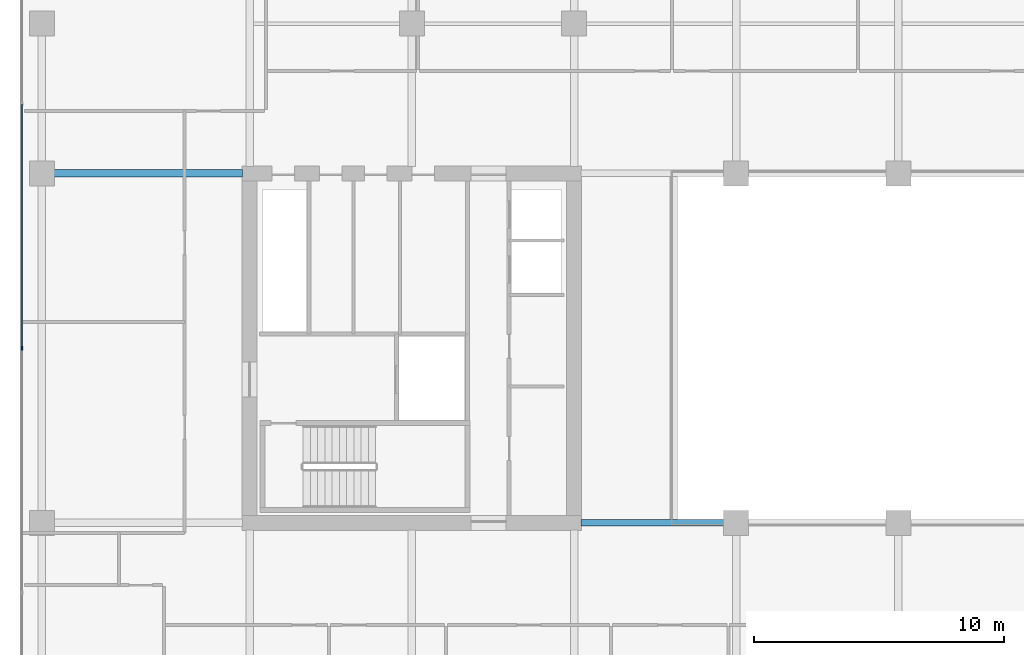
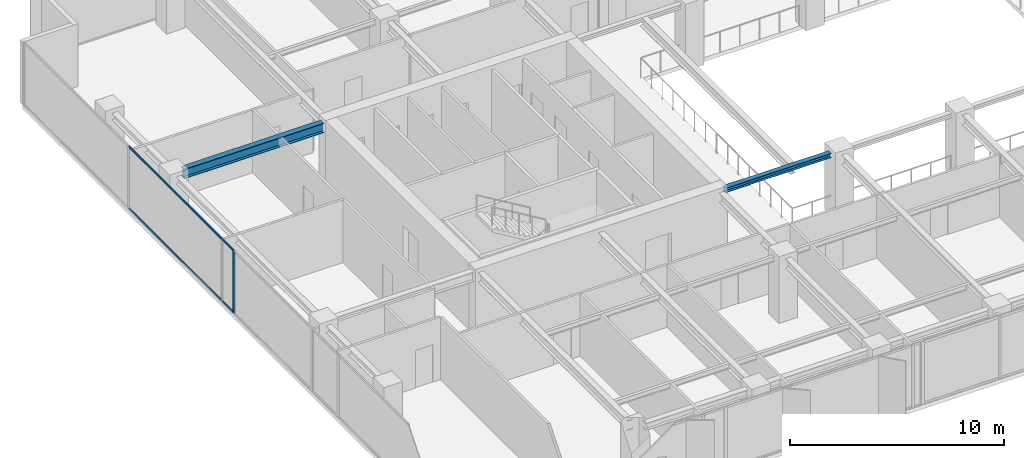
# One storey, part 4 of 22: 3 members, 2 beams, 1 element without a shape of its own.
"""IFC4 building model written with IfcOpenShell, lengths in metres."""

from ifc_helpers import new_model, si_unit, direction, frame, origin, origin_2d, place, context, subcontext, project, spatial, rectangle, i_section, extrude, material, layer, layer_set, material_profile, profile_set, type_object, element, aggregate, save


model = new_model("IFC4")

# Units and contexts
model_context = context("Model", 3, precision=1e-05, world=origin(), true_north=direction((0.0, 1.0)))
body_context = subcontext(model_context, "Body", "Model", "MODEL_VIEW")
ifc_project = project(units=[si_unit("LENGTHUNIT", "METRE"), si_unit("AREAUNIT", "SQUARE_METRE"), si_unit("VOLUMEUNIT", "CUBIC_METRE"), si_unit("PLANEANGLEUNIT", "RADIAN"), si_unit("MASSUNIT", "GRAM", prefix="KILO")], contexts=[model_context])

# Site, building, storey
site_placement = place(None, origin())
site = spatial("IfcSite", under=ifc_project, at=site_placement, CompositionType="ELEMENT")
building_placement = place(site_placement, origin())
building = spatial("IfcBuilding", under=site, at=building_placement, Name="Putna Gate Headquarters", CompositionType="ELEMENT")
storey_placement = place(building_placement, frame((0.0, 0.0, 182.199951171875)))
storey = spatial("IfcBuildingStorey", under=building, at=storey_placement, Name="L45", CompositionType="ELEMENT", Elevation=182.199951171875)

# Beams
ifc_material_1 = material(Name="Steel S355J2", Category="steel")
ifc_material_profile_1 = material_profile(ifc_material_1, i_section(OverallWidth=0.260009765625, OverallDepth=0.260009765625, WebThickness=0.010009765625, FlangeThickness=0.017578125, at=origin_2d()), Name="Steel S355J2")
ifc_profile_set_1 = profile_set([ifc_material_profile_1], Name="Steel S355J2")
beam_type_1 = type_object("IfcBeamType", Name="BM-ATRIUM-HEB260", PredefinedType="BEAM", material=ifc_profile_set_1)
beam_1_placement = place(storey_placement, frame((26.284912109375, 19.0, 3.442138671875), z_axis=(1.0, 0.0, 0.0), x_axis=(0.0, 1.0, 0.0)))
element("IfcBeam", 1, at=beam_1_placement, inside=storey, type_object=beam_type_1, Name="L45 Atrium Edge Beam AS1", PredefinedType="BEAM", context=body_context, shape_type="SweptSolid", body=[
    extrude(i_section(OverallWidth=0.260009765625, OverallDepth=0.260009765625, WebThickness=0.010009765625, FlangeThickness=0.017578125, at=origin_2d()), origin(), (0.0, 0.0, 1.0), 5.72705078125),
])
ifc_material_profile_2 = material_profile(ifc_material_1, i_section(OverallWidth=0.300048828125, OverallDepth=0.550048828125, WebThickness=0.014892578125, FlangeThickness=0.029052734375, at=origin_2d()), Name="Steel S355J2")
ifc_profile_set_2 = profile_set([ifc_material_profile_2], Name="Steel S355J2")
beam_type_2 = type_object("IfcBeamType", Name="BM-GIRD-Z3-HEB550", PredefinedType="USERDEFINED", material=ifc_profile_set_2)
beam_2_placement = place(storey_placement, frame((5.16796875, 33.0, 3.297119140625), z_axis=(1.0, 0.0, 0.0), x_axis=(0.0, 1.0, 0.0)))
element("IfcBeam", 2, at=beam_2_placement, inside=storey, type_object=beam_type_2, Name="L45 West Wing Girder Y33", ObjectType="GIRDER", PredefinedType="USERDEFINED", context=body_context, shape_type="SweptSolid", body=[
    extrude(i_section(OverallWidth=0.300048828125, OverallDepth=0.550048828125, WebThickness=0.014892578125, FlangeThickness=0.029052734375, at=origin_2d()), origin(), (0.0, 0.0, 1.0), 7.547119140625),
])

# Curtain wall, members
ifc_material_2 = material(Name="Anodised bronze aluminium curtain wall", Category="aluminium")
ifc_layer = layer(ifc_material_2, 0.159912109375)
ifc_layer_set = layer_set([ifc_layer], Name="Anodised bronze aluminium curtain wall")
curtain_wall_type = type_object("IfcCurtainWallType", Name="CW-SYS-Z3", PredefinedType="USERDEFINED", material=ifc_layer_set)
curtain_wall_placement = place(storey_placement, origin())
curtain_wall = element("IfcCurtainWall", 3, at=curtain_wall_placement, inside=storey, type_object=curtain_wall_type, Name="L45 West Curtain Wall", ObjectType="STICK CURTAIN WALL", PredefinedType="USERDEFINED")
ifc_material_3 = material(Name="Anodised bronze aluminium EN AW-6060", Category="aluminium")
ifc_material_profile_3 = material_profile(ifc_material_3, rectangle(XDim=0.06494140625, YDim=0.159912109375, at=origin_2d()), Name="Anodised bronze aluminium EN AW-6060")
ifc_profile_set_3 = profile_set([ifc_material_profile_3], Name="Anodised bronze aluminium EN AW-6060")
member_type_1 = type_object("IfcMemberType", Name="MULL-CWM-3", PredefinedType="MULLION", material=ifc_profile_set_3)
member_1_placement = place(storey_placement, frame((3.8798828125, 26.0, 0.0), z_axis=(0.0, 0.0, 1.0), x_axis=(-1.0, 0.0, 0.0)))
member_1 = element("IfcMember", 4, at=member_1_placement, type_object=member_type_1, Name="CWS-3 mullion 3", PredefinedType="MULLION", context=body_context, shape_type="SweptSolid", body=[
    extrude(rectangle(XDim=0.06494140625, YDim=0.159912109375, at=origin_2d()), origin(), (0.0, 0.0, 1.0), 3.572021484375),
])
ifc_material_profile_4 = material_profile(ifc_material_3, rectangle(XDim=0.06005859375, YDim=0.10009765625, at=origin_2d()), Name="Anodised bronze aluminium EN AW-6060")
ifc_profile_set_4 = profile_set([ifc_material_profile_4], Name="Anodised bronze aluminium EN AW-6060")
member_type_2 = type_object("IfcMemberType", Name="TRAN-CWT-3", PredefinedType="USERDEFINED", material=ifc_profile_set_4)
member_2_placement = place(storey_placement, frame((3.8798828125, 26.032470703125, 0.030029296875), z_axis=(0.0, 1.0, 0.0), x_axis=(-1.0, 0.0, 0.0)))
member_2 = element("IfcMember", 5, at=member_2_placement, type_object=member_type_2, Name="CWS-3 transom 3.1", ObjectType="TRANSOM", PredefinedType="USERDEFINED", context=body_context, shape_type="SweptSolid", body=[
    extrude(rectangle(XDim=0.06005859375, YDim=0.10009765625, at=origin_2d()), origin(), (0.0, 0.0, 1.0), 9.735107421875),
])
member_3_placement = place(storey_placement, frame((3.8798828125, 26.032470703125, 3.5419921875), z_axis=(0.0, 1.0, 0.0), x_axis=(-1.0, 0.0, 0.0)))
member_3 = element("IfcMember", 6, at=member_3_placement, type_object=member_type_2, Name="CWS-3 transom 3.2", ObjectType="TRANSOM", PredefinedType="USERDEFINED", context=body_context, shape_type="SweptSolid", body=[
    extrude(rectangle(XDim=0.06005859375, YDim=0.10009765625, at=origin_2d()), origin(), (0.0, 0.0, 1.0), 9.735107421875),
])
aggregate(curtain_wall, [member_1, member_2, member_3])

save(model, "model.ifc")
